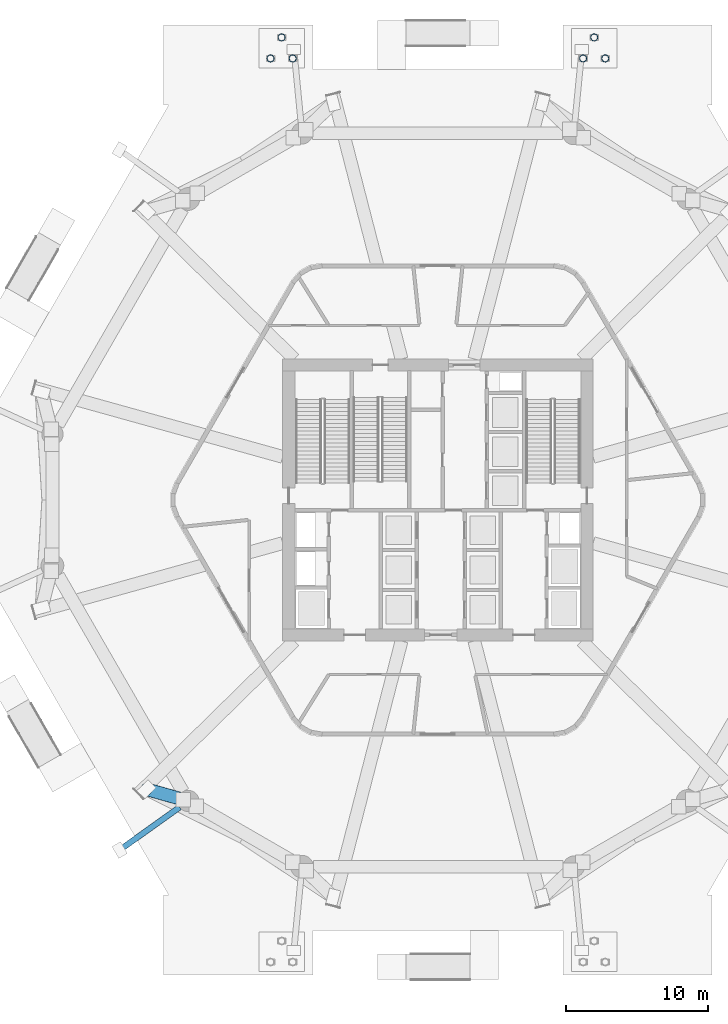
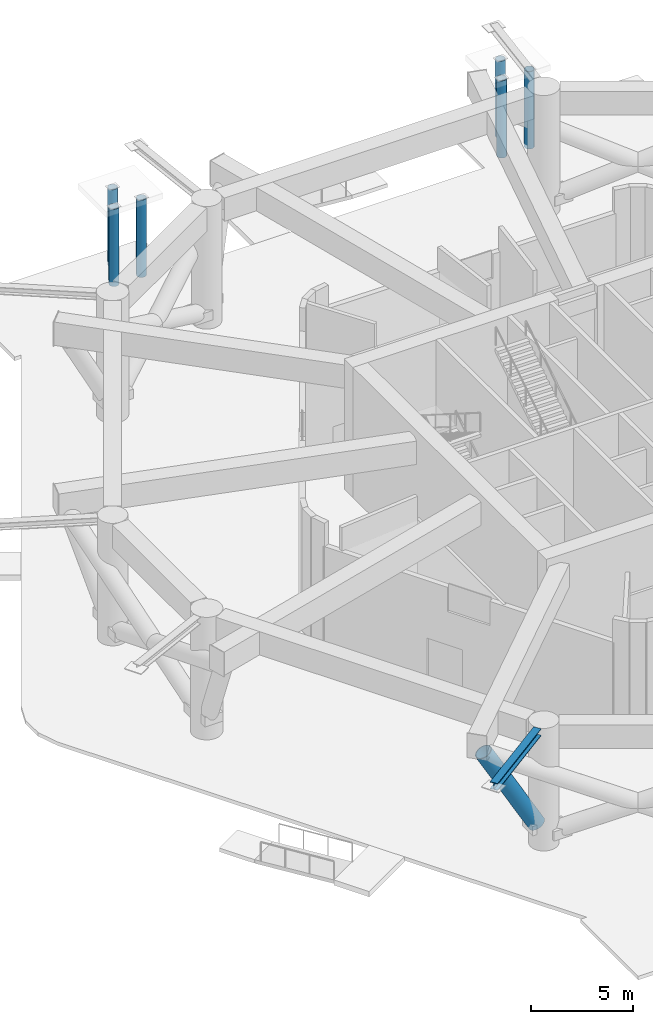
# One storey, part 3 of 17: 6 columns, 1 beam, 1 member.
"""IFC4 building model written with IfcOpenShell, lengths in metres."""

from ifc_helpers import new_model, si_unit, direction, frame, origin, origin_2d, place, context, subcontext, project, spatial, hollow_circle, i_section, extrude, material, material_profile, profile_set, type_object, element, save


model = new_model("IFC4")

# Units and contexts
model_context = context("Model", 3, precision=1e-05, world=origin(), true_north=direction((0.0, 1.0)))
body_context = subcontext(model_context, "Body", "Model", "MODEL_VIEW")
ifc_project = project(units=[si_unit("LENGTHUNIT", "METRE"), si_unit("AREAUNIT", "SQUARE_METRE"), si_unit("VOLUMEUNIT", "CUBIC_METRE"), si_unit("PLANEANGLEUNIT", "RADIAN"), si_unit("MASSUNIT", "GRAM", prefix="KILO")], contexts=[model_context])

# Site, building, storey
site_placement = place(None, origin())
site = spatial("IfcSite", under=ifc_project, at=site_placement, CompositionType="ELEMENT")
building_placement = place(site_placement, origin())
building = spatial("IfcBuilding", under=site, at=building_placement, Name="Zuhravey Tower", CompositionType="ELEMENT")
storey_placement = place(building_placement, origin())
storey = spatial("IfcBuildingStorey", under=building, at=storey_placement, Name="L01", CompositionType="ELEMENT", Elevation=0.0)

# Columns
ifc_material_1 = material(Name="Steel SM355", Category="steel")
ifc_material_profile_1 = material_profile(ifc_material_1, hollow_circle(Radius=0.25390625, WallThickness=0.02001953125, at=origin_2d()), Name="CHS-508x20")
ifc_profile_set_1 = profile_set([ifc_material_profile_1], Name="Steel SM355")
column_type = type_object("IfcColumnType", Name="Lobby Pavilion Column CHS508x20", PredefinedType="COLUMN", material=ifc_profile_set_1)
for number, where, z_axis, x_axis, name in (
    (1, (24.219970703125, 63.080078125, -0.219970703125), (0.0, 0.0, 1.0), (1.0, 0.0, 0.0), "L01 Entrance Canopy Column LC1-N1.1"),
    (2, (25.780029296875, 63.080078125, -0.219970703125), (0.0, 0.0, 1.0), (1.0, 0.0, 0.0), "L01 Entrance Canopy Column LC1-N1.2"),
    (3, (25.0, 64.56005859375, -0.219970703125), (0.0, 0.0, 1.0), (1.0, 0.0, 0.0), "L01 Entrance Canopy Column LC1-N1.3"),
    (4, (46.219970703125, 63.080078125, -0.219970703125), (0.0, 0.0, 1.0), (1.0, 0.0, 0.0), "L01 Entrance Canopy Column LC1-N2.1"),
    (5, (47.780029296875, 63.080078125, -0.219970703125), (0.0, 0.0, 1.0), (1.0, 0.0, 0.0), "L01 Entrance Canopy Column LC1-N2.2"),
    (6, (47.0, 64.56005859375, -0.219970703125), (0.0, 0.0, 1.0), (1.0, 0.0, 0.0), "L01 Entrance Canopy Column LC1-N2.3"),
):
    element("IfcColumn", number, at=place(storey_placement, frame(where, z_axis=z_axis, x_axis=x_axis)), inside=storey, type_object=column_type, Name=name, PredefinedType="COLUMN", context=body_context, shape_type="SweptSolid", body=[
        extrude(hollow_circle(Radius=0.25390625, WallThickness=0.02001953125, at=origin_2d()), origin(), (0.0, 0.0, 1.0), 4.639892578125),
    ])

# Beam
ifc_material_2 = material(Name="Steel SM460", Category="steel")
ifc_material_profile_2 = material_profile(ifc_material_2, i_section(OverallWidth=0.406982421875, OverallDepth=0.427978515625, WebThickness=0.02001953125, FlangeThickness=0.034912109375, at=origin_2d()), Name="H-428x407x20x35")
ifc_profile_set_2 = profile_set([ifc_material_profile_2], Name="Steel SM460")
beam_type = type_object("IfcBeamType", Name="Exoskeleton Node Tie Beam H428x407", PredefinedType="BEAM", material=ifc_profile_set_2)
beam_placement = place(storey_placement, frame((17.818359375, 10.375244140625, 7.135986328125), z_axis=(-0.813752616474, -0.581211389411, 0.0), x_axis=(0.581211389411, -0.813752616474, 0.0)))
element("IfcBeam", 7, at=beam_placement, inside=storey, type_object=beam_type, Name="L01 Exoskeleton Node Tie NT1-08", PredefinedType="BEAM", context=body_context, shape_type="SweptSolid", body=[
    extrude(i_section(OverallWidth=0.406982421875, OverallDepth=0.427978515625, WebThickness=0.02001953125, FlangeThickness=0.034912109375, at=origin_2d()), origin(), (0.0, 0.0, 1.0), 5.169677734375),
])

# Member
ifc_material_profile_3 = material_profile(ifc_material_2, hollow_circle(Radius=0.457275390625, WallThickness=0.0380859375, at=origin_2d()), Name="CHS-914.4x38")
ifc_profile_set_3 = profile_set([ifc_material_profile_3], Name="Steel SM460")
member_type = type_object("IfcMemberType", Name="Stilt V-Strut CHS914x38", PredefinedType="STRUT", material=ifc_profile_set_3)
member_placement = place(storey_placement, frame((18.07373046875, 10.914306640625, 1.205810546875), z_axis=(-0.475262438416, 0.133594784564, 0.869642482959), x_axis=(-0.270608964985, -0.9626893518, 0.0)))
element("IfcMember", 8, at=member_placement, inside=storey, type_object=member_type, Name="L01 Stilt V-Strut STS1-15", PredefinedType="STRUT", context=body_context, shape_type="SweptSolid", body=[
    extrude(hollow_circle(Radius=0.457275390625, WallThickness=0.0380859375, at=origin_2d()), origin(), (0.0, 0.0, 1.0), 5.451416015625),
])

save(model, "model.ifc")
